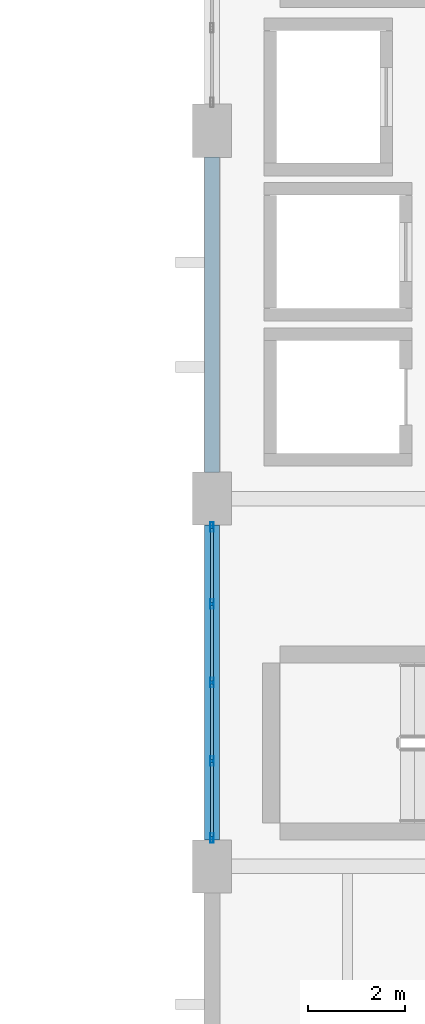
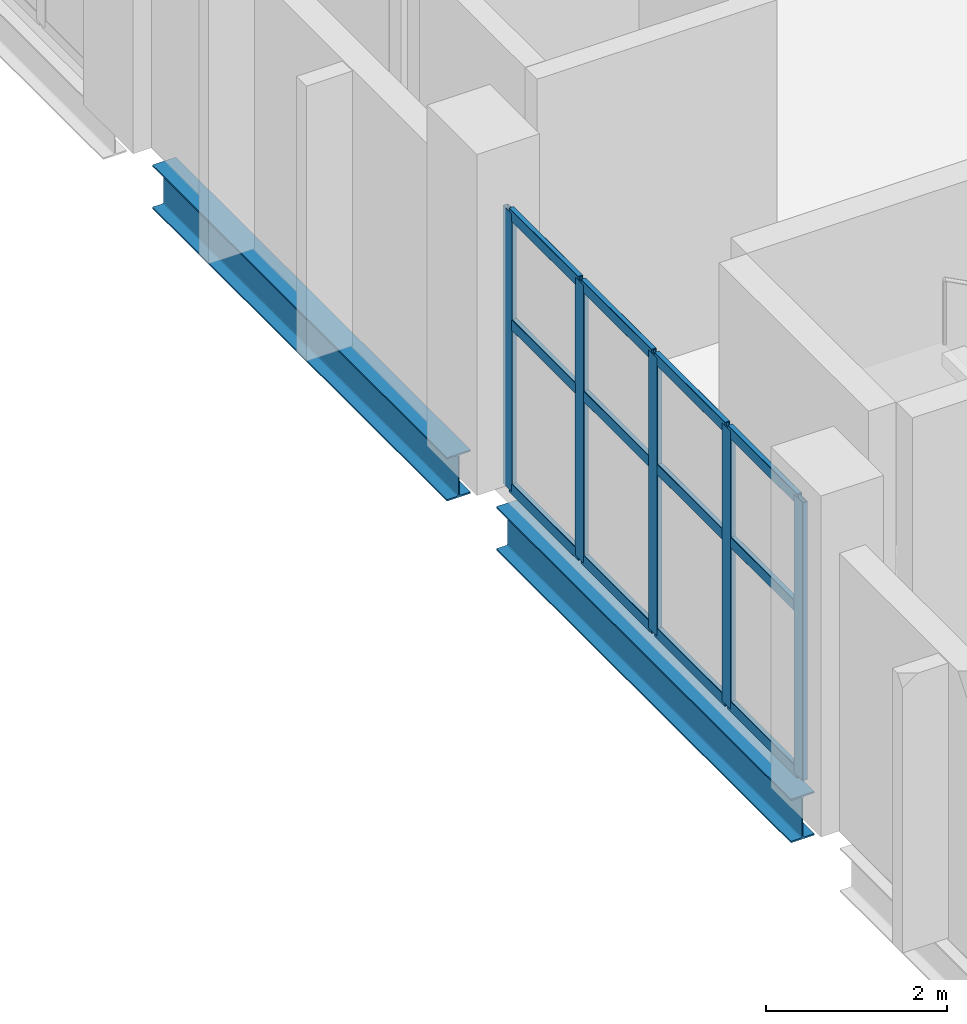
# One storey, part 74 of 172: 17 members, 2 beams, 1 element without a shape of its own.
"""IFC4 building model written with IfcOpenShell, lengths in metres."""

from ifc_helpers import new_model, si_unit, direction, frame, origin, origin_2d, place, context, subcontext, project, spatial, hollow_rectangle, i_section, extrude, material, material_profile, profile_set, type_object, element, aggregate, save


model = new_model("IFC4")

# Units and contexts
model_context = context("Model", 3, precision=1e-05, world=origin(), true_north=direction((0.0, 1.0)))
body_context = subcontext(model_context, "Body", "Model", "MODEL_VIEW")
ifc_project = project(units=[si_unit("LENGTHUNIT", "METRE"), si_unit("AREAUNIT", "SQUARE_METRE"), si_unit("VOLUMEUNIT", "CUBIC_METRE"), si_unit("PLANEANGLEUNIT", "RADIAN"), si_unit("MASSUNIT", "GRAM", prefix="KILO")], contexts=[model_context])

# Site, building, storey
site_placement = place(None, origin())
site = spatial("IfcSite", under=ifc_project, at=site_placement, CompositionType="ELEMENT")
building_placement = place(site_placement, origin())
building = spatial("IfcBuilding", under=site, at=building_placement, Name="Shengluoqiao Park Theatre", CompositionType="ELEMENT")
storey_placement = place(building_placement, frame((0.0, 0.0, 5.39990234375)))
storey = spatial("IfcBuildingStorey", under=building, at=storey_placement, Name="L01", CompositionType="ELEMENT", Elevation=5.39990234375)

# Curtain wall, members
ifc_material_1 = material(Name="Aluminium 6063-T6", Category="aluminium")
curtain_wall_type = type_object("IfcCurtainWallType", Name="ENV-CW-CLERE", PredefinedType="NOTDEFINED", material=ifc_material_1)
curtain_wall_placement = place(storey_placement, origin())
curtain_wall = element("IfcCurtainWall", 1, at=curtain_wall_placement, inside=storey, type_object=curtain_wall_type, Name="L01 Curtain Wall CW-L01-0003", PredefinedType="NOTDEFINED")
ifc_material_profile_1 = material_profile(ifc_material_1, hollow_rectangle(XDim=0.06494140625, YDim=0.199951171875, WallThickness=0.0048828125, InnerFilletRadius=0.0048828125, OuterFilletRadius=0.010009765625, at=origin_2d()), Name="ALU MULLION 200x65x5")
ifc_profile_set_1 = profile_set([ifc_material_profile_1], Name="Aluminium 6063-T6")
member_type_1 = type_object("IfcMemberType", Name="ENV-MUL-200", PredefinedType="MULLION", material=ifc_profile_set_1)
member_1_placement = place(storey_placement, frame((44.39990234375, 84.58642578125, 0.0), z_axis=(0.0, 0.0, 1.0), x_axis=(-1.0, 0.0, 0.0)))
member_1 = element("IfcMember", 2, at=member_1_placement, type_object=member_type_1, Name="CW-06 mullion 1", PredefinedType="MULLION", context=body_context, shape_type="SweptSolid", body=[
    extrude(hollow_rectangle(XDim=0.06494140625, YDim=0.199951171875, WallThickness=0.0048828125, InnerFilletRadius=0.0048828125, OuterFilletRadius=0.010009765625, at=origin_2d()), origin(), (0.0, 0.0, 1.0), 3.75),
])
member_2_placement = place(storey_placement, frame((44.39990234375, 86.177001953125, 0.0), z_axis=(0.0, 0.0, 1.0), x_axis=(-1.0, 0.0, 0.0)))
member_2 = element("IfcMember", 3, at=member_2_placement, type_object=member_type_1, Name="CW-06 mullion 2", PredefinedType="MULLION", context=body_context, shape_type="SweptSolid", body=[
    extrude(hollow_rectangle(XDim=0.06494140625, YDim=0.199951171875, WallThickness=0.0048828125, InnerFilletRadius=0.0048828125, OuterFilletRadius=0.010009765625, at=origin_2d()), origin(), (0.0, 0.0, 1.0), 3.75),
])
member_3_placement = place(storey_placement, frame((44.39990234375, 87.800048828125, 0.0), z_axis=(0.0, 0.0, 1.0), x_axis=(-1.0, 0.0, 0.0)))
member_3 = element("IfcMember", 4, at=member_3_placement, type_object=member_type_1, Name="CW-06 mullion 3", PredefinedType="MULLION", context=body_context, shape_type="SweptSolid", body=[
    extrude(hollow_rectangle(XDim=0.06494140625, YDim=0.199951171875, WallThickness=0.0048828125, InnerFilletRadius=0.0048828125, OuterFilletRadius=0.010009765625, at=origin_2d()), origin(), (0.0, 0.0, 1.0), 3.75),
])
member_4_placement = place(storey_placement, frame((44.39990234375, 89.423095703125, 0.0), z_axis=(0.0, 0.0, 1.0), x_axis=(-1.0, 0.0, 0.0)))
member_4 = element("IfcMember", 5, at=member_4_placement, type_object=member_type_1, Name="CW-06 mullion 4", PredefinedType="MULLION", context=body_context, shape_type="SweptSolid", body=[
    extrude(hollow_rectangle(XDim=0.06494140625, YDim=0.199951171875, WallThickness=0.0048828125, InnerFilletRadius=0.0048828125, OuterFilletRadius=0.010009765625, at=origin_2d()), origin(), (0.0, 0.0, 1.0), 3.75),
])
member_5_placement = place(storey_placement, frame((44.39990234375, 91.013427734375, 0.0), z_axis=(0.0, 0.0, 1.0), x_axis=(-1.0, 0.0, 0.0)))
member_5 = element("IfcMember", 6, at=member_5_placement, type_object=member_type_1, Name="CW-06 mullion 5", PredefinedType="MULLION", context=body_context, shape_type="SweptSolid", body=[
    extrude(hollow_rectangle(XDim=0.06494140625, YDim=0.199951171875, WallThickness=0.0048828125, InnerFilletRadius=0.0048828125, OuterFilletRadius=0.010009765625, at=origin_2d()), origin(), (0.0, 0.0, 1.0), 3.75),
])
ifc_material_profile_2 = material_profile(ifc_material_1, hollow_rectangle(XDim=0.06494140625, YDim=0.14990234375, WallThickness=0.00390625, InnerFilletRadius=0.00390625, OuterFilletRadius=0.008056640625, at=origin_2d()), Name="ALU TRANSOM 150x65x4")
ifc_profile_set_2 = profile_set([ifc_material_profile_2], Name="Aluminium 6063-T6")
member_type_2 = type_object("IfcMemberType", Name="ENV-TRN-150", PredefinedType="USERDEFINED", material=ifc_profile_set_2)
member_6_placement = place(storey_placement, frame((44.39990234375, 84.618896484375, 0.03271484375), z_axis=(0.0, 1.0, 0.0), x_axis=(-1.0, 0.0, 0.0)))
member_6 = element("IfcMember", 7, at=member_6_placement, type_object=member_type_2, Name="CW-06 transom 1.1", ObjectType="TRANSOM", PredefinedType="USERDEFINED", context=body_context, shape_type="SweptSolid", body=[
    extrude(hollow_rectangle(XDim=0.06494140625, YDim=0.14990234375, WallThickness=0.00390625, InnerFilletRadius=0.00390625, OuterFilletRadius=0.008056640625, at=origin_2d()), origin(), (0.0, 0.0, 1.0), 1.525634765625),
])
member_7_placement = place(storey_placement, frame((44.39990234375, 84.618896484375, 2.25), z_axis=(0.0, 1.0, 0.0), x_axis=(-1.0, 0.0, 0.0)))
member_7 = element("IfcMember", 8, at=member_7_placement, type_object=member_type_2, Name="CW-06 transom 1.2", ObjectType="TRANSOM", PredefinedType="USERDEFINED", context=body_context, shape_type="SweptSolid", body=[
    extrude(hollow_rectangle(XDim=0.06494140625, YDim=0.14990234375, WallThickness=0.00390625, InnerFilletRadius=0.00390625, OuterFilletRadius=0.008056640625, at=origin_2d()), origin(), (0.0, 0.0, 1.0), 1.525634765625),
])
member_8_placement = place(storey_placement, frame((44.39990234375, 84.618896484375, 3.717529296875), z_axis=(0.0, 1.0, 0.0), x_axis=(-1.0, 0.0, 0.0)))
member_8 = element("IfcMember", 9, at=member_8_placement, type_object=member_type_2, Name="CW-06 transom 1.3", ObjectType="TRANSOM", PredefinedType="USERDEFINED", context=body_context, shape_type="SweptSolid", body=[
    extrude(hollow_rectangle(XDim=0.06494140625, YDim=0.14990234375, WallThickness=0.00390625, InnerFilletRadius=0.00390625, OuterFilletRadius=0.008056640625, at=origin_2d()), origin(), (0.0, 0.0, 1.0), 1.525634765625),
])
member_9_placement = place(storey_placement, frame((44.39990234375, 86.20947265625, 0.03271484375), z_axis=(0.0, 1.0, 0.0), x_axis=(-1.0, 0.0, 0.0)))
member_9 = element("IfcMember", 10, at=member_9_placement, type_object=member_type_2, Name="CW-06 transom 2.1", ObjectType="TRANSOM", PredefinedType="USERDEFINED", context=body_context, shape_type="SweptSolid", body=[
    extrude(hollow_rectangle(XDim=0.06494140625, YDim=0.14990234375, WallThickness=0.00390625, InnerFilletRadius=0.00390625, OuterFilletRadius=0.008056640625, at=origin_2d()), origin(), (0.0, 0.0, 1.0), 1.55810546875),
])
member_10_placement = place(storey_placement, frame((44.39990234375, 86.20947265625, 2.25), z_axis=(0.0, 1.0, 0.0), x_axis=(-1.0, 0.0, 0.0)))
member_10 = element("IfcMember", 11, at=member_10_placement, type_object=member_type_2, Name="CW-06 transom 2.2", ObjectType="TRANSOM", PredefinedType="USERDEFINED", context=body_context, shape_type="SweptSolid", body=[
    extrude(hollow_rectangle(XDim=0.06494140625, YDim=0.14990234375, WallThickness=0.00390625, InnerFilletRadius=0.00390625, OuterFilletRadius=0.008056640625, at=origin_2d()), origin(), (0.0, 0.0, 1.0), 1.55810546875),
])
member_11_placement = place(storey_placement, frame((44.39990234375, 86.20947265625, 3.717529296875), z_axis=(0.0, 1.0, 0.0), x_axis=(-1.0, 0.0, 0.0)))
member_11 = element("IfcMember", 12, at=member_11_placement, type_object=member_type_2, Name="CW-06 transom 2.3", ObjectType="TRANSOM", PredefinedType="USERDEFINED", context=body_context, shape_type="SweptSolid", body=[
    extrude(hollow_rectangle(XDim=0.06494140625, YDim=0.14990234375, WallThickness=0.00390625, InnerFilletRadius=0.00390625, OuterFilletRadius=0.008056640625, at=origin_2d()), origin(), (0.0, 0.0, 1.0), 1.55810546875),
])
member_12_placement = place(storey_placement, frame((44.39990234375, 87.83251953125, 0.03271484375), z_axis=(0.0, 1.0, 0.0), x_axis=(-1.0, 0.0, 0.0)))
member_12 = element("IfcMember", 13, at=member_12_placement, type_object=member_type_2, Name="CW-06 transom 3.1", ObjectType="TRANSOM", PredefinedType="USERDEFINED", context=body_context, shape_type="SweptSolid", body=[
    extrude(hollow_rectangle(XDim=0.06494140625, YDim=0.14990234375, WallThickness=0.00390625, InnerFilletRadius=0.00390625, OuterFilletRadius=0.008056640625, at=origin_2d()), origin(), (0.0, 0.0, 1.0), 1.557861328125),
])
member_13_placement = place(storey_placement, frame((44.39990234375, 87.83251953125, 2.25), z_axis=(0.0, 1.0, 0.0), x_axis=(-1.0, 0.0, 0.0)))
member_13 = element("IfcMember", 14, at=member_13_placement, type_object=member_type_2, Name="CW-06 transom 3.2", ObjectType="TRANSOM", PredefinedType="USERDEFINED", context=body_context, shape_type="SweptSolid", body=[
    extrude(hollow_rectangle(XDim=0.06494140625, YDim=0.14990234375, WallThickness=0.00390625, InnerFilletRadius=0.00390625, OuterFilletRadius=0.008056640625, at=origin_2d()), origin(), (0.0, 0.0, 1.0), 1.557861328125),
])
member_14_placement = place(storey_placement, frame((44.39990234375, 87.83251953125, 3.717529296875), z_axis=(0.0, 1.0, 0.0), x_axis=(-1.0, 0.0, 0.0)))
member_14 = element("IfcMember", 15, at=member_14_placement, type_object=member_type_2, Name="CW-06 transom 3.3", ObjectType="TRANSOM", PredefinedType="USERDEFINED", context=body_context, shape_type="SweptSolid", body=[
    extrude(hollow_rectangle(XDim=0.06494140625, YDim=0.14990234375, WallThickness=0.00390625, InnerFilletRadius=0.00390625, OuterFilletRadius=0.008056640625, at=origin_2d()), origin(), (0.0, 0.0, 1.0), 1.557861328125),
])
member_15_placement = place(storey_placement, frame((44.39990234375, 89.45556640625, 0.03271484375), z_axis=(0.0, 1.0, 0.0), x_axis=(-1.0, 0.0, 0.0)))
member_15 = element("IfcMember", 16, at=member_15_placement, type_object=member_type_2, Name="CW-06 transom 4.1", ObjectType="TRANSOM", PredefinedType="USERDEFINED", context=body_context, shape_type="SweptSolid", body=[
    extrude(hollow_rectangle(XDim=0.06494140625, YDim=0.14990234375, WallThickness=0.00390625, InnerFilletRadius=0.00390625, OuterFilletRadius=0.008056640625, at=origin_2d()), origin(), (0.0, 0.0, 1.0), 1.525390625),
])
member_16_placement = place(storey_placement, frame((44.39990234375, 89.45556640625, 2.25), z_axis=(0.0, 1.0, 0.0), x_axis=(-1.0, 0.0, 0.0)))
member_16 = element("IfcMember", 17, at=member_16_placement, type_object=member_type_2, Name="CW-06 transom 4.2", ObjectType="TRANSOM", PredefinedType="USERDEFINED", context=body_context, shape_type="SweptSolid", body=[
    extrude(hollow_rectangle(XDim=0.06494140625, YDim=0.14990234375, WallThickness=0.00390625, InnerFilletRadius=0.00390625, OuterFilletRadius=0.008056640625, at=origin_2d()), origin(), (0.0, 0.0, 1.0), 1.525390625),
])
member_17_placement = place(storey_placement, frame((44.39990234375, 89.45556640625, 3.717529296875), z_axis=(0.0, 1.0, 0.0), x_axis=(-1.0, 0.0, 0.0)))
member_17 = element("IfcMember", 18, at=member_17_placement, type_object=member_type_2, Name="CW-06 transom 4.3", ObjectType="TRANSOM", PredefinedType="USERDEFINED", context=body_context, shape_type="SweptSolid", body=[
    extrude(hollow_rectangle(XDim=0.06494140625, YDim=0.14990234375, WallThickness=0.00390625, InnerFilletRadius=0.00390625, OuterFilletRadius=0.008056640625, at=origin_2d()), origin(), (0.0, 0.0, 1.0), 1.525390625),
])
aggregate(curtain_wall, [member_1, member_2, member_3, member_4, member_5, member_6, member_7, member_8, member_9, member_10, member_11, member_12, member_13, member_14, member_15, member_16, member_17])

# Beams
ifc_material_2 = material(Name="Steel Q355", Category="steel")
ifc_material_profile_3 = material_profile(ifc_material_2, i_section(OverallWidth=0.300048828125, OverallDepth=0.587890625, WebThickness=0.011962890625, FlangeThickness=0.02001953125, FilletRadius=0.02392578125, at=origin_2d()), Name="HM 588x300x12x20")
ifc_profile_set_3 = profile_set([ifc_material_profile_3], Name="Steel Q355")
beam_type = type_object("IfcBeamType", Name="STR-BM-G-HM588", PredefinedType="BEAM", material=ifc_profile_set_3)
for number, where, z_axis, x_axis, name in (
    (19, (44.39990234375, 84.5439453125, -0.533935546875), (0.0, 1.0, 0.0), (-1.0, 0.0, 0.0), "L01 Transverse Girder 00283"),
    (20, (44.39990234375, 92.14404296875, -0.533935546875), (0.0, 1.0, 0.0), (-1.0, 0.0, 0.0), "L01 Transverse Girder 00284"),
):
    element("IfcBeam", number, at=place(storey_placement, frame(where, z_axis=z_axis, x_axis=x_axis)), inside=storey, type_object=beam_type, Name=name, PredefinedType="BEAM", context=body_context, shape_type="SweptSolid", body=[
        extrude(i_section(OverallWidth=0.300048828125, OverallDepth=0.587890625, WebThickness=0.011962890625, FlangeThickness=0.02001953125, FilletRadius=0.02392578125, at=origin_2d()), origin(), (0.0, 0.0, 1.0), 6.511962890625),
    ])

save(model, "model.ifc")
